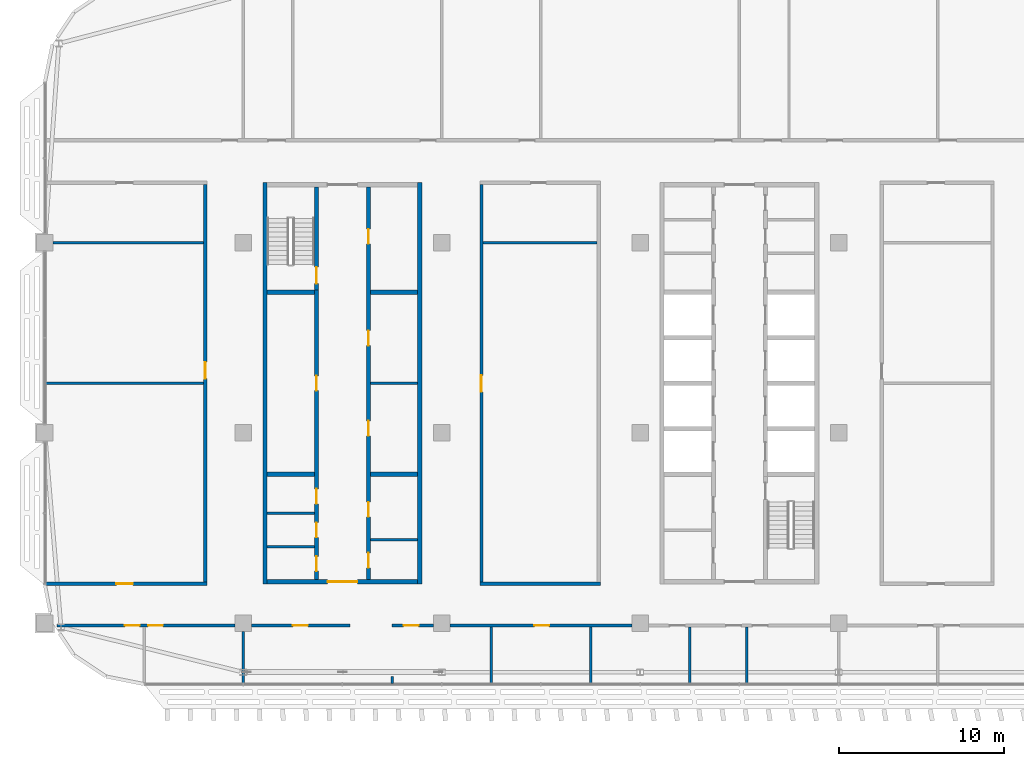
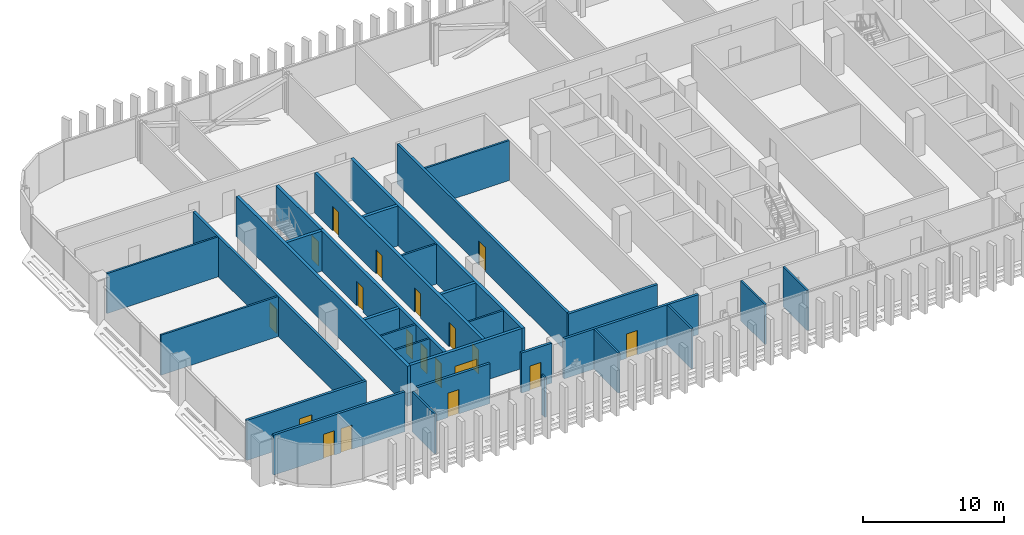
# One storey, part 17 of 34: 31 walls, 19 doors, 19 openings.
"""IFC4 building model written with IfcOpenShell, lengths in metres."""

from ifc_helpers import new_model, si_unit, direction, frame, frame_2d, origin, place, context, subcontext, project, spatial, rectangle, extrude, material, layer, layer_set, type_object, element, fill, save


model = new_model("IFC4")

# Units and contexts
model_context = context("Model", 3, precision=1e-05, world=origin(), true_north=direction((0.0, 1.0)))
body_context = subcontext(model_context, "Body", "Model", "MODEL_VIEW")
ifc_project = project(units=[si_unit("LENGTHUNIT", "METRE"), si_unit("AREAUNIT", "SQUARE_METRE"), si_unit("VOLUMEUNIT", "CUBIC_METRE"), si_unit("PLANEANGLEUNIT", "RADIAN"), si_unit("MASSUNIT", "GRAM", prefix="KILO")], contexts=[model_context])

# Site, building, storey
site_placement = place(None, origin())
site = spatial("IfcSite", under=ifc_project, at=site_placement, CompositionType="ELEMENT")
building_placement = place(site_placement, origin())
building = spatial("IfcBuilding", under=site, at=building_placement, Name="Mahtab Terrace Research Tower", CompositionType="ELEMENT")
storey_placement = place(building_placement, frame((0.0, 0.0, 247.60009765625)))
storey = spatial("IfcBuildingStorey", under=building, at=storey_placement, Name="L60", CompositionType="ELEMENT", Elevation=247.60009765625)

# Walls
ifc_material_1 = material(Name="Gypsum board partition")
ifc_layer_1 = layer(ifc_material_1, 0.14990234375)
ifc_layer_set_1 = layer_set([ifc_layer_1], Name="Core partition 150")
wall_type_1 = type_object("IfcWallType", Name="Core partition 150", PredefinedType="PARTITIONING", material=ifc_layer_set_1)
for number, where, z_axis, x_axis, name in (
    (1, (-22.300048828125, 3.0, 0.0), (0.0, 0.0, 1.0), (1.0, 0.0, 0.0), "Core wall A pEL0"),
    (2, (-28.550048828125, -6.875, 0.0), (0.0, 0.0, 1.0), (1.0, 0.0, 0.0), "Core wall A pWS-988"),
    (3, (-28.550048828125, -4.875, 0.0), (0.0, 0.0, 1.0), (1.0, 0.0, 0.0), "Core wall A pWS-788"),
    (4, (-22.300048828125, -6.47509765625, 0.0), (0.0, 0.0, 1.0), (1.0, 0.0, 0.0), "Core wall A pES-948"),
):
    element("IfcWall", number, at=place(storey_placement, frame(where, z_axis=z_axis, x_axis=x_axis)), inside=storey, type_object=wall_type_1, Name=name, PredefinedType="PARTITIONING", context=body_context, shape_type="SweptSolid", body=[
        extrude(rectangle(XDim=2.85009765625, YDim=0.14990234375, at=frame_2d((1.425048828125, 0.0))), origin(), (0.0, 0.0, 1.0), 3.4599609375),
    ])
ifc_material_2 = material(Name="Concrete C70/85", Category="concrete")
ifc_layer_2 = layer(ifc_material_2, 0.25)
ifc_layer_set_2 = layer_set([ifc_layer_2], Name="Core wall 250")
wall_type_2 = type_object("IfcWallType", Name="Core wall 250", PredefinedType="SOLIDWALL", material=ifc_layer_set_2)
for number, where, z_axis, x_axis, name in (
    (5, (-28.675048828125, 15.125, 0.0), (0.0, 0.0, 1.0), (0.0, -1.0, 0.0), "Core wall A outerW"),
    (6, (-19.324951171875, -9.125, 0.0), (0.0, 0.0, 1.0), (0.0, 1.0, 0.0), "Core wall A outerE"),
):
    element("IfcWall", number, at=place(storey_placement, frame(where, z_axis=z_axis, x_axis=x_axis)), inside=storey, type_object=wall_type_2, Name=name, PredefinedType="SOLIDWALL", context=body_context, shape_type="SweptSolid", body=[
        extrude(rectangle(XDim=24.25, YDim=0.25, at=frame_2d((12.125, 0.0))), origin(), (0.0, 0.0, 1.0), 3.4599609375),
    ])

# Wall, opening, door
wall_1_placement = place(storey_placement, frame((-19.449951171875, -9.0, 0.0), z_axis=(0.0, 0.0, 1.0), x_axis=(-1.0, 0.0, 0.0)))
wall_1 = element("IfcWall", 7, at=wall_1_placement, inside=storey, type_object=wall_type_2, Name="Core wall A endS", PredefinedType="SOLIDWALL", context=body_context, shape_type="SweptSolid", body=[
    extrude(rectangle(XDim=9.10009765625, YDim=0.25, at=frame_2d((4.550048828125, 0.0))), origin(), (0.0, 0.0, 1.0), 3.4599609375),
])
opening_1_placement = place(wall_1_placement, frame((3.64990234375, 0.0, 0.0)))
opening_1 = element("IfcOpeningElement", 8, at=opening_1_placement, cuts=wall_1, Name="Opening A-S1", PredefinedType="OPENING", context=body_context, shape_type="SweptSolid", body=[
    extrude(rectangle(XDim=1.800048828125, YDim=2.10009765625, at=frame_2d((0.89990234375, 1.050048828125))), frame((0.0, 0.135009765625, 0.0), z_axis=(0.0, -1.0, 0.0), x_axis=(1.0, 0.0, 0.0)), (0.0, 0.0, 1.0), 0.27001953125),
])
ifc_material_3 = material(Name="Steel fire door", Category="steel")
door_type_1 = type_object("IfcDoorType", Name="Lobby double door 1800x2100 1 HR", OperationType="DOUBLE_DOOR_SINGLE_SWING", PredefinedType="DOOR", material=ifc_material_3)
door_1_placement = place(opening_1_placement, origin())
door_1 = element("IfcDoor", 9, at=door_1_placement, inside=storey, type_object=door_type_1, Name="Core entrance door A S", OperationType="DOUBLE_DOOR_SINGLE_SWING", OverallHeight=2.10009765625, OverallWidth=1.800048828125, PredefinedType="DOOR", context=body_context, shape_type="SweptSolid", body=[
    extrude(rectangle(XDim=1.800048828125, YDim=2.10009765625, at=frame_2d((0.89990234375, 1.050048828125))), frame((0.0, 0.02490234375, 0.0), z_axis=(0.0, -1.0, 0.0), x_axis=(1.0, 0.0, 0.0)), (0.0, 0.0, 1.0), 0.050048828125),
])
fill(opening_1, door_1)

# Wall, openings, doors
wall_2_placement = place(storey_placement, frame((-25.574951171875, -8.875, 0.0), z_axis=(0.0, 0.0, 1.0), x_axis=(0.0, 1.0, 0.0)))
wall_2 = element("IfcWall", 10, at=wall_2_placement, inside=storey, type_object=wall_type_2, Name="Core wall A innerWSL", PredefinedType="SOLIDWALL", context=body_context, shape_type="SweptSolid", body=[
    extrude(rectangle(XDim=17.5, YDim=0.25, at=frame_2d((8.75, 0.0))), origin(), (0.0, 0.0, 1.0), 3.4599609375),
])
opening_2_placement = place(wall_2_placement, frame((11.425048828125, 0.0, 0.0)))
opening_2 = element("IfcOpeningElement", 11, at=opening_2_placement, cuts=wall_2, Name="Opening A-R1", PredefinedType="OPENING", context=body_context, shape_type="SweptSolid", body=[
    extrude(rectangle(XDim=0.89990234375, YDim=2.10009765625, at=frame_2d((0.449951171875, 1.050048828125))), frame((0.0, 0.135009765625, 0.0), z_axis=(0.0, -1.0, 0.0), x_axis=(1.0, 0.0, 0.0)), (0.0, 0.0, 1.0), 0.27001953125),
])
opening_3_placement = place(wall_2_placement, frame((0.512451171875, 0.0, 0.0)))
opening_3 = element("IfcOpeningElement", 12, at=opening_3_placement, cuts=wall_2, Name="Opening A-R4", PredefinedType="OPENING", context=body_context, shape_type="SweptSolid", body=[
    extrude(rectangle(XDim=0.89990234375, YDim=2.10009765625, at=frame_2d((0.449951171875, 1.050048828125))), frame((0.0, 0.135009765625, 0.0), z_axis=(0.0, -1.0, 0.0), x_axis=(1.0, 0.0, 0.0)), (0.0, 0.0, 1.0), 0.27001953125),
])
opening_4_placement = place(wall_2_placement, frame((2.550048828125, 0.0, 0.0)))
opening_4 = element("IfcOpeningElement", 13, at=opening_4_placement, cuts=wall_2, Name="Opening A-R5", PredefinedType="OPENING", context=body_context, shape_type="SweptSolid", body=[
    extrude(rectangle(XDim=0.89990234375, YDim=2.10009765625, at=frame_2d((0.449951171875, 1.050048828125))), frame((0.0, 0.135009765625, 0.0), z_axis=(0.0, -1.0, 0.0), x_axis=(1.0, 0.0, 0.0)), (0.0, 0.0, 1.0), 0.27001953125),
])
opening_5_placement = place(wall_2_placement, frame((4.58740234375, 0.0, 0.0)))
opening_5 = element("IfcOpeningElement", 14, at=opening_5_placement, cuts=wall_2, Name="Opening A-R6", PredefinedType="OPENING", context=body_context, shape_type="SweptSolid", body=[
    extrude(rectangle(XDim=0.89990234375, YDim=2.10009765625, at=frame_2d((0.449951171875, 1.050048828125))), frame((0.0, 0.135009765625, 0.0), z_axis=(0.0, -1.0, 0.0), x_axis=(1.0, 0.0, 0.0)), (0.0, 0.0, 1.0), 0.27001953125),
])
door_type_2 = type_object("IfcDoorType", Name="Room door 900x2100 1 HR", OperationType="NOTDEFINED", PredefinedType="DOOR", material=ifc_material_3)
door_2_placement = place(opening_2_placement, origin())
door_2 = element("IfcDoor", 15, at=door_2_placement, inside=storey, type_object=door_type_2, Name="Plant room door", OperationType="SINGLE_SWING_LEFT", OverallHeight=2.10009765625, OverallWidth=0.89990234375, PredefinedType="DOOR", context=body_context, shape_type="SweptSolid", body=[
    extrude(rectangle(XDim=0.89990234375, YDim=2.10009765625, at=frame_2d((0.449951171875, 1.050048828125))), frame((0.0, 0.02490234375, 0.0), z_axis=(0.0, -1.0, 0.0), x_axis=(1.0, 0.0, 0.0)), (0.0, 0.0, 1.0), 0.050048828125),
])
fill(opening_2, door_2)
door_3_placement = place(opening_3_placement, origin())
door_3 = element("IfcDoor", 16, at=door_3_placement, inside=storey, type_object=door_type_2, Name="Male WC door", OperationType="SINGLE_SWING_RIGHT", OverallHeight=2.10009765625, OverallWidth=0.89990234375, PredefinedType="DOOR", context=body_context, shape_type="SweptSolid", body=[
    extrude(rectangle(XDim=0.89990234375, YDim=2.10009765625, at=frame_2d((0.449951171875, 1.050048828125))), frame((0.0, 0.02490234375, 0.0), z_axis=(0.0, -1.0, 0.0), x_axis=(1.0, 0.0, 0.0)), (0.0, 0.0, 1.0), 0.050048828125),
])
fill(opening_3, door_3)
door_4_placement = place(opening_4_placement, origin())
door_4 = element("IfcDoor", 17, at=door_4_placement, inside=storey, type_object=door_type_2, Name="Female WC door", OperationType="SINGLE_SWING_LEFT", OverallHeight=2.10009765625, OverallWidth=0.89990234375, PredefinedType="DOOR", context=body_context, shape_type="SweptSolid", body=[
    extrude(rectangle(XDim=0.89990234375, YDim=2.10009765625, at=frame_2d((0.449951171875, 1.050048828125))), frame((0.0, 0.02490234375, 0.0), z_axis=(0.0, -1.0, 0.0), x_axis=(1.0, 0.0, 0.0)), (0.0, 0.0, 1.0), 0.050048828125),
])
fill(opening_4, door_4)
door_5_placement = place(opening_5_placement, origin())
door_5 = element("IfcDoor", 18, at=door_5_placement, inside=storey, type_object=door_type_2, Name="Accessible WC door", OperationType="SINGLE_SWING_RIGHT", OverallHeight=2.10009765625, OverallWidth=0.89990234375, PredefinedType="DOOR", context=body_context, shape_type="SweptSolid", body=[
    extrude(rectangle(XDim=0.89990234375, YDim=2.10009765625, at=frame_2d((0.449951171875, 1.050048828125))), frame((0.0, 0.02490234375, 0.0), z_axis=(0.0, -1.0, 0.0), x_axis=(1.0, 0.0, 0.0)), (0.0, 0.0, 1.0), 0.050048828125),
])
fill(opening_5, door_5)

# Wall, opening, door
wall_3_placement = place(storey_placement, frame((-25.574951171875, 14.875, 0.0), z_axis=(0.0, 0.0, 1.0), x_axis=(0.0, -1.0, 0.0)))
wall_3 = element("IfcWall", 19, at=wall_3_placement, inside=storey, type_object=wall_type_2, Name="Core wall A innerWN", PredefinedType="SOLIDWALL", context=body_context, shape_type="SweptSolid", body=[
    extrude(rectangle(XDim=6.25, YDim=0.25, at=frame_2d((3.125, 0.0))), origin(), (0.0, 0.0, 1.0), 3.4599609375),
])
opening_6_placement = place(wall_3_placement, frame((4.85009765625, 0.0, 0.0)))
opening_6 = element("IfcOpeningElement", 20, at=opening_6_placement, cuts=wall_3, Name="Opening A-ST1", PredefinedType="OPENING", context=body_context, shape_type="SweptSolid", body=[
    extrude(rectangle(XDim=1.0, YDim=2.10009765625, at=frame_2d((0.5, 1.050048828125))), frame((0.0, 0.135009765625, 0.0), z_axis=(0.0, -1.0, 0.0), x_axis=(1.0, 0.0, 0.0)), (0.0, 0.0, 1.0), 0.27001953125),
])
door_type_3 = type_object("IfcDoorType", Name="Stair door 1000x2100 1.5 HR", OperationType="NOTDEFINED", PredefinedType="DOOR", material=ifc_material_3)
door_6_placement = place(opening_6_placement, origin())
door_6 = element("IfcDoor", 21, at=door_6_placement, inside=storey, type_object=door_type_3, Name="Stair door ST1 L60", OperationType="SINGLE_SWING_RIGHT", OverallHeight=2.10009765625, OverallWidth=1.0, PredefinedType="DOOR", context=body_context, shape_type="SweptSolid", body=[
    extrude(rectangle(XDim=1.0, YDim=2.10009765625, at=frame_2d((0.5, 1.050048828125))), frame((0.0, 0.02490234375, 0.0), z_axis=(0.0, -1.0, 0.0), x_axis=(1.0, 0.0, 0.0)), (0.0, 0.0, 1.0), 0.050048828125),
])
fill(opening_6, door_6)

# Wall, openings, doors
wall_4_placement = place(storey_placement, frame((-22.425048828125, 14.875, 0.0), z_axis=(0.0, 0.0, 1.0), x_axis=(0.0, -1.0, 0.0)))
wall_4 = element("IfcWall", 22, at=wall_4_placement, inside=storey, type_object=wall_type_2, Name="Core wall A innerESLN", PredefinedType="SOLIDWALL", context=body_context, shape_type="SweptSolid", body=[
    extrude(rectangle(XDim=23.75, YDim=0.25, at=frame_2d((11.875, 0.0))), origin(), (0.0, 0.0, 1.0), 3.4599609375),
])
opening_7_placement = place(wall_4_placement, frame((14.14990234375, 0.0, 0.0)))
opening_7 = element("IfcOpeningElement", 23, at=opening_7_placement, cuts=wall_4, Name="Opening A-R2", PredefinedType="OPENING", context=body_context, shape_type="SweptSolid", body=[
    extrude(rectangle(XDim=0.89990234375, YDim=2.10009765625, at=frame_2d((0.449951171875, 1.050048828125))), frame((0.0, 0.135009765625, 0.0), z_axis=(0.0, -1.0, 0.0), x_axis=(1.0, 0.0, 0.0)), (0.0, 0.0, 1.0), 0.27001953125),
])
opening_8_placement = place(wall_4_placement, frame((8.699951171875, 0.0, 0.0)))
opening_8 = element("IfcOpeningElement", 24, at=opening_8_placement, cuts=wall_4, Name="Opening A-R3", PredefinedType="OPENING", context=body_context, shape_type="SweptSolid", body=[
    extrude(rectangle(XDim=0.89990234375, YDim=2.10009765625, at=frame_2d((0.449951171875, 1.050048828125))), frame((0.0, 0.135009765625, 0.0), z_axis=(0.0, -1.0, 0.0), x_axis=(1.0, 0.0, 0.0)), (0.0, 0.0, 1.0), 0.27001953125),
])
opening_9_placement = place(wall_4_placement, frame((22.137451171875, 0.0, 0.0)))
opening_9 = element("IfcOpeningElement", 25, at=opening_9_placement, cuts=wall_4, Name="Opening A-R7", PredefinedType="OPENING", context=body_context, shape_type="SweptSolid", body=[
    extrude(rectangle(XDim=0.89990234375, YDim=2.10009765625, at=frame_2d((0.449951171875, 1.050048828125))), frame((0.0, 0.135009765625, 0.0), z_axis=(0.0, -1.0, 0.0), x_axis=(1.0, 0.0, 0.0)), (0.0, 0.0, 1.0), 0.27001953125),
])
opening_10_placement = place(wall_4_placement, frame((19.0625, 0.0, 0.0)))
opening_10 = element("IfcOpeningElement", 26, at=opening_10_placement, cuts=wall_4, Name="Opening A-R8", PredefinedType="OPENING", context=body_context, shape_type="SweptSolid", body=[
    extrude(rectangle(XDim=0.89990234375, YDim=2.10009765625, at=frame_2d((0.449951171875, 1.050048828125))), frame((0.0, 0.135009765625, 0.0), z_axis=(0.0, -1.0, 0.0), x_axis=(1.0, 0.0, 0.0)), (0.0, 0.0, 1.0), 0.27001953125),
])
opening_11_placement = place(wall_4_placement, frame((2.550048828125, 0.0, 0.0)))
opening_11 = element("IfcOpeningElement", 27, at=opening_11_placement, cuts=wall_4, Name="Opening A-R9", PredefinedType="OPENING", context=body_context, shape_type="SweptSolid", body=[
    extrude(rectangle(XDim=0.89990234375, YDim=2.10009765625, at=frame_2d((0.449951171875, 1.050048828125))), frame((0.0, 0.135009765625, 0.0), z_axis=(0.0, -1.0, 0.0), x_axis=(1.0, 0.0, 0.0)), (0.0, 0.0, 1.0), 0.27001953125),
])
door_7_placement = place(opening_7_placement, origin())
door_7 = element("IfcDoor", 28, at=door_7_placement, inside=storey, type_object=door_type_2, Name="Document store door", OperationType="SINGLE_SWING_RIGHT", OverallHeight=2.10009765625, OverallWidth=0.89990234375, PredefinedType="DOOR", context=body_context, shape_type="SweptSolid", body=[
    extrude(rectangle(XDim=0.89990234375, YDim=2.10009765625, at=frame_2d((0.449951171875, 1.050048828125))), frame((0.0, 0.02490234375, 0.0), z_axis=(0.0, -1.0, 0.0), x_axis=(1.0, 0.0, 0.0)), (0.0, 0.0, 1.0), 0.050048828125),
])
fill(opening_7, door_7)
door_8_placement = place(opening_8_placement, origin())
door_8 = element("IfcDoor", 29, at=door_8_placement, inside=storey, type_object=door_type_2, Name="IT equipment room door", OperationType="SINGLE_SWING_LEFT", OverallHeight=2.10009765625, OverallWidth=0.89990234375, PredefinedType="DOOR", context=body_context, shape_type="SweptSolid", body=[
    extrude(rectangle(XDim=0.89990234375, YDim=2.10009765625, at=frame_2d((0.449951171875, 1.050048828125))), frame((0.0, 0.02490234375, 0.0), z_axis=(0.0, -1.0, 0.0), x_axis=(1.0, 0.0, 0.0)), (0.0, 0.0, 1.0), 0.050048828125),
])
fill(opening_8, door_8)
door_9_placement = place(opening_9_placement, origin())
door_9 = element("IfcDoor", 30, at=door_9_placement, inside=storey, type_object=door_type_2, Name="Mechanical riser room door", OperationType="SINGLE_SWING_LEFT", OverallHeight=2.10009765625, OverallWidth=0.89990234375, PredefinedType="DOOR", context=body_context, shape_type="SweptSolid", body=[
    extrude(rectangle(XDim=0.89990234375, YDim=2.10009765625, at=frame_2d((0.449951171875, 1.050048828125))), frame((0.0, 0.02490234375, 0.0), z_axis=(0.0, -1.0, 0.0), x_axis=(1.0, 0.0, 0.0)), (0.0, 0.0, 1.0), 0.050048828125),
])
fill(opening_9, door_9)
door_10_placement = place(opening_10_placement, origin())
door_10 = element("IfcDoor", 31, at=door_10_placement, inside=storey, type_object=door_type_2, Name="Chemical store door", OperationType="SINGLE_SWING_RIGHT", OverallHeight=2.10009765625, OverallWidth=0.89990234375, PredefinedType="DOOR", context=body_context, shape_type="SweptSolid", body=[
    extrude(rectangle(XDim=0.89990234375, YDim=2.10009765625, at=frame_2d((0.449951171875, 1.050048828125))), frame((0.0, 0.02490234375, 0.0), z_axis=(0.0, -1.0, 0.0), x_axis=(1.0, 0.0, 0.0)), (0.0, 0.0, 1.0), 0.050048828125),
])
fill(opening_10, door_10)
door_11_placement = place(opening_11_placement, origin())
door_11 = element("IfcDoor", 32, at=door_11_placement, inside=storey, type_object=door_type_2, Name="Gas cylinder store door", OperationType="SINGLE_SWING_LEFT", OverallHeight=2.10009765625, OverallWidth=0.89990234375, PredefinedType="DOOR", context=body_context, shape_type="SweptSolid", body=[
    extrude(rectangle(XDim=0.89990234375, YDim=2.10009765625, at=frame_2d((0.449951171875, 1.050048828125))), frame((0.0, 0.02490234375, 0.0), z_axis=(0.0, -1.0, 0.0), x_axis=(1.0, 0.0, 0.0)), (0.0, 0.0, 1.0), 0.050048828125),
])
fill(opening_11, door_11)

# Walls
for number, where, z_axis, x_axis, name in (
    (33, (-28.550048828125, -2.5, 0.0), (0.0, 0.0, 1.0), (1.0, 0.0, 0.0), "Core wall A divW0"),
    (34, (-28.550048828125, 8.5, 0.0), (0.0, 0.0, 1.0), (1.0, 0.0, 0.0), "Core wall A divW4"),
    (35, (-22.300048828125, -2.5, 0.0), (0.0, 0.0, 1.0), (1.0, 0.0, 0.0), "Core wall A divE0"),
    (36, (-22.300048828125, 8.5, 0.0), (0.0, 0.0, 1.0), (1.0, 0.0, 0.0), "Core wall A divE4"),
):
    element("IfcWall", number, at=place(storey_placement, frame(where, z_axis=z_axis, x_axis=x_axis)), inside=storey, type_object=wall_type_2, Name=name, PredefinedType="SOLIDWALL", context=body_context, shape_type="SweptSolid", body=[
        extrude(rectangle(XDim=2.85009765625, YDim=0.25, at=frame_2d((1.425048828125, 0.0))), origin(), (0.0, 0.0, 1.0), 3.4599609375),
    ])

# Wall, openings, doors
ifc_material_4 = material(Name="Gypsum board corridor wall on steel studs", Category="steel")
ifc_layer_3 = layer(ifc_material_4, 0.199951171875)
ifc_layer_set_3 = layer_set([ifc_layer_3], Name="WALL CORRIDOR 200")
wall_type_3 = type_object("IfcWallType", Name="WALL CORRIDOR 200", PredefinedType="PARTITIONING", material=ifc_layer_set_3)
wall_5_placement = place(storey_placement, frame((-41.260009765625, -11.64501953125, 0.0), z_axis=(0.0, 0.0, 1.0), x_axis=(1.0, 0.0, 0.0)))
wall_5 = element("IfcWall", 37, at=wall_5_placement, inside=storey, type_object=wall_type_3, Name="L60-W001", PredefinedType="PARTITIONING", context=body_context, shape_type="SweptSolid", body=[
    extrude(rectangle(XDim=10.760009765625, YDim=0.199951171875, at=frame_2d((5.3798828125, 0.0))), origin(), (0.0, 0.0, 1.0), 3.4599609375),
])
opening_12_placement = place(wall_5_placement, frame((4.10009765625, 0.0, 0.0)))
opening_12 = element("IfcOpeningElement", 38, at=opening_12_placement, cuts=wall_5, Name="Opening L60-101", PredefinedType="OPENING", context=body_context, shape_type="SweptSolid", body=[
    extrude(rectangle(XDim=0.89990234375, YDim=2.10009765625, at=frame_2d((0.449951171875, 1.050048828125))), frame((0.0, 0.10986328125, 0.0), z_axis=(0.0, -1.0, 0.0), x_axis=(1.0, 0.0, 0.0)), (0.0, 0.0, 1.0), 0.219970703125),
])
opening_13_placement = place(wall_5_placement, frame((5.5, 0.0, 0.0)))
opening_13 = element("IfcOpeningElement", 39, at=opening_13_placement, cuts=wall_5, Name="Opening L60-102", PredefinedType="OPENING", context=body_context, shape_type="SweptSolid", body=[
    extrude(rectangle(XDim=0.89990234375, YDim=2.10009765625, at=frame_2d((0.449951171875, 1.050048828125))), frame((0.0, 0.10986328125, 0.0), z_axis=(0.0, -1.0, 0.0), x_axis=(1.0, 0.0, 0.0)), (0.0, 0.0, 1.0), 0.219970703125),
])
ifc_material_5 = material(Name="Timber door leaf in steel frame", Category="steel")
door_type_4 = type_object("IfcDoorType", Name="DOOR 0900X2100 FD30S", OperationType="SINGLE_SWING_LEFT", PredefinedType="DOOR", material=ifc_material_5)
door_12_placement = place(opening_12_placement, origin())
door_12 = element("IfcDoor", 40, at=door_12_placement, inside=storey, type_object=door_type_4, Name="Door L60-101", OperationType="SINGLE_SWING_RIGHT", OverallHeight=2.10009765625, OverallWidth=0.89990234375, PredefinedType="DOOR", context=body_context, shape_type="SweptSolid", body=[
    extrude(rectangle(XDim=0.89990234375, YDim=2.10009765625, at=frame_2d((0.449951171875, 1.050048828125))), frame((0.0, 0.02490234375, 0.0), z_axis=(0.0, -1.0, 0.0), x_axis=(1.0, 0.0, 0.0)), (0.0, 0.0, 1.0), 0.050048828125),
])
fill(opening_12, door_12)
door_13_placement = place(opening_13_placement, origin())
door_13 = element("IfcDoor", 41, at=door_13_placement, inside=storey, type_object=door_type_4, Name="Door L60-102", OperationType="SINGLE_SWING_LEFT", OverallHeight=2.10009765625, OverallWidth=0.89990234375, PredefinedType="DOOR", context=body_context, shape_type="SweptSolid", body=[
    extrude(rectangle(XDim=0.89990234375, YDim=2.10009765625, at=frame_2d((0.449951171875, 1.050048828125))), frame((0.0, 0.02490234375, 0.0), z_axis=(0.0, -1.0, 0.0), x_axis=(1.0, 0.0, 0.0)), (0.0, 0.0, 1.0), 0.050048828125),
])
fill(opening_13, door_13)

# Wall, opening, door
wall_6_placement = place(storey_placement, frame((-29.5, -11.64501953125, 0.0), z_axis=(0.0, 0.0, 1.0), x_axis=(1.0, 0.0, 0.0)))
wall_6 = element("IfcWall", 42, at=wall_6_placement, inside=storey, type_object=wall_type_3, Name="L60-W002", PredefinedType="PARTITIONING", context=body_context, shape_type="SweptSolid", body=[
    extrude(rectangle(XDim=5.949951171875, YDim=0.199951171875, at=frame_2d((2.97509765625, 0.0))), origin(), (0.0, 0.0, 1.0), 3.4599609375),
])
opening_14_placement = place(wall_6_placement, frame((2.5, 0.0, 0.0)))
opening_14 = element("IfcOpeningElement", 43, at=opening_14_placement, cuts=wall_6, Name="Opening L60-103", PredefinedType="OPENING", context=body_context, shape_type="SweptSolid", body=[
    extrude(rectangle(XDim=0.89990234375, YDim=2.10009765625, at=frame_2d((0.449951171875, 1.050048828125))), frame((0.0, 0.10986328125, 0.0), z_axis=(0.0, -1.0, 0.0), x_axis=(1.0, 0.0, 0.0)), (0.0, 0.0, 1.0), 0.219970703125),
])
door_14_placement = place(opening_14_placement, origin())
door_14 = element("IfcDoor", 44, at=door_14_placement, inside=storey, type_object=door_type_4, Name="Door L60-103", OperationType="SINGLE_SWING_RIGHT", OverallHeight=2.10009765625, OverallWidth=0.89990234375, PredefinedType="DOOR", context=body_context, shape_type="SweptSolid", body=[
    extrude(rectangle(XDim=0.89990234375, YDim=2.10009765625, at=frame_2d((0.449951171875, 1.050048828125))), frame((0.0, 0.02490234375, 0.0), z_axis=(0.0, -1.0, 0.0), x_axis=(1.0, 0.0, 0.0)), (0.0, 0.0, 1.0), 0.050048828125),
])
fill(opening_14, door_14)

wall_7_placement = place(storey_placement, frame((-21.0, -11.64501953125, 0.0), z_axis=(0.0, 0.0, 1.0), x_axis=(1.0, 0.0, 0.0)))
wall_7 = element("IfcWall", 45, at=wall_7_placement, inside=storey, type_object=wall_type_3, Name="L60-W003", PredefinedType="PARTITIONING", context=body_context, shape_type="SweptSolid", body=[
    extrude(rectangle(XDim=2.5, YDim=0.199951171875, at=frame_2d((1.25, 0.0))), origin(), (0.0, 0.0, 1.0), 3.4599609375),
])
opening_15_placement = place(wall_7_placement, frame((0.699951171875, 0.0, 0.0)))
opening_15 = element("IfcOpeningElement", 46, at=opening_15_placement, cuts=wall_7, Name="Opening L60-104", PredefinedType="OPENING", context=body_context, shape_type="SweptSolid", body=[
    extrude(rectangle(XDim=0.89990234375, YDim=2.10009765625, at=frame_2d((0.449951171875, 1.050048828125))), frame((0.0, 0.10986328125, 0.0), z_axis=(0.0, -1.0, 0.0), x_axis=(1.0, 0.0, 0.0)), (0.0, 0.0, 1.0), 0.219970703125),
])
door_15_placement = place(opening_15_placement, origin())
door_15 = element("IfcDoor", 47, at=door_15_placement, inside=storey, type_object=door_type_4, Name="Door L60-104", OperationType="SINGLE_SWING_RIGHT", OverallHeight=2.10009765625, OverallWidth=0.89990234375, PredefinedType="DOOR", context=body_context, shape_type="SweptSolid", body=[
    extrude(rectangle(XDim=0.89990234375, YDim=2.10009765625, at=frame_2d((0.449951171875, 1.050048828125))), frame((0.0, 0.02490234375, 0.0), z_axis=(0.0, -1.0, 0.0), x_axis=(1.0, 0.0, 0.0)), (0.0, 0.0, 1.0), 0.050048828125),
])
fill(opening_15, door_15)

wall_8_placement = place(storey_placement, frame((-17.5, -11.64501953125, 0.0), z_axis=(0.0, 0.0, 1.0), x_axis=(1.0, 0.0, 0.0)))
wall_8 = element("IfcWall", 48, at=wall_8_placement, inside=storey, type_object=wall_type_3, Name="L60-W004", PredefinedType="PARTITIONING", context=body_context, shape_type="SweptSolid", body=[
    extrude(rectangle(XDim=11.0, YDim=0.199951171875, at=frame_2d((5.5, 0.0))), origin(), (0.0, 0.0, 1.0), 3.4599609375),
])
opening_16_placement = place(wall_8_placement, frame((5.10009765625, 0.0, 0.0)))
opening_16 = element("IfcOpeningElement", 49, at=opening_16_placement, cuts=wall_8, Name="Opening L60-105", PredefinedType="OPENING", context=body_context, shape_type="SweptSolid", body=[
    extrude(rectangle(XDim=0.89990234375, YDim=2.10009765625, at=frame_2d((0.449951171875, 1.050048828125))), frame((0.0, 0.10986328125, 0.0), z_axis=(0.0, -1.0, 0.0), x_axis=(1.0, 0.0, 0.0)), (0.0, 0.0, 1.0), 0.219970703125),
])
door_16_placement = place(opening_16_placement, origin())
door_16 = element("IfcDoor", 50, at=door_16_placement, inside=storey, type_object=door_type_4, Name="Door L60-105", OperationType="SINGLE_SWING_LEFT", OverallHeight=2.10009765625, OverallWidth=0.89990234375, PredefinedType="DOOR", context=body_context, shape_type="SweptSolid", body=[
    extrude(rectangle(XDim=0.89990234375, YDim=2.10009765625, at=frame_2d((0.449951171875, 1.050048828125))), frame((0.0, 0.02490234375, 0.0), z_axis=(0.0, -1.0, 0.0), x_axis=(1.0, 0.0, 0.0)), (0.0, 0.0, 1.0), 0.050048828125),
])
fill(opening_16, door_16)

wall_9_placement = place(storey_placement, frame((-41.97509765625, -9.125, 0.0), z_axis=(0.0, 0.0, 1.0), x_axis=(1.0, 0.0, 0.0)))
wall_9 = element("IfcWall", 51, at=wall_9_placement, inside=storey, type_object=wall_type_3, Name="L60-W010", PredefinedType="PARTITIONING", context=body_context, shape_type="SweptSolid", body=[
    extrude(rectangle(XDim=9.775146484375, YDim=0.199951171875, at=frame_2d((4.8876953125, 0.0))), origin(), (0.0, 0.0, 1.0), 3.4599609375),
])
opening_17_placement = place(wall_9_placement, frame((4.300048828125, 0.0, 0.0)))
opening_17 = element("IfcOpeningElement", 52, at=opening_17_placement, cuts=wall_9, Name="Opening L60-117", PredefinedType="OPENING", context=body_context, shape_type="SweptSolid", body=[
    extrude(rectangle(XDim=1.0, YDim=2.10009765625, at=frame_2d((0.5, 1.050048828125))), frame((0.0, 0.10986328125, 0.0), z_axis=(0.0, -1.0, 0.0), x_axis=(1.0, 0.0, 0.0)), (0.0, 0.0, 1.0), 0.219970703125),
])
door_type_5 = type_object("IfcDoorType", Name="DOOR 1000X2100 FD30S", OperationType="SINGLE_SWING_LEFT", PredefinedType="DOOR", material=ifc_material_5)
door_17_placement = place(opening_17_placement, origin())
door_17 = element("IfcDoor", 53, at=door_17_placement, inside=storey, type_object=door_type_5, Name="Door L60-117", OperationType="SINGLE_SWING_LEFT", OverallHeight=2.10009765625, OverallWidth=1.0, PredefinedType="DOOR", context=body_context, shape_type="SweptSolid", body=[
    extrude(rectangle(XDim=1.0, YDim=2.10009765625, at=frame_2d((0.5, 1.050048828125))), frame((0.0, 0.02490234375, 0.0), z_axis=(0.0, -1.0, 0.0), x_axis=(1.0, 0.0, 0.0)), (0.0, 0.0, 1.0), 0.050048828125),
])
fill(opening_17, door_17)

# Wall
wall_10_placement = place(storey_placement, frame((-15.699951171875, -9.125, 0.0), z_axis=(0.0, 0.0, 1.0), x_axis=(1.0, 0.0, 0.0)))
element("IfcWall", 54, at=wall_10_placement, inside=storey, type_object=wall_type_3, Name="L60-W011", PredefinedType="PARTITIONING", context=body_context, shape_type="SweptSolid", body=[
    extrude(rectangle(XDim=7.300048828125, YDim=0.199951171875, at=frame_2d((3.64990234375, 0.0))), origin(), (0.0, 0.0, 1.0), 3.4599609375),
])

# Wall, opening, door
wall_11_placement = place(storey_placement, frame((-32.300048828125, -9.02490234375, 0.0), z_axis=(0.0, 0.0, 1.0), x_axis=(0.0, 1.0, 0.0)))
wall_11 = element("IfcWall", 55, at=wall_11_placement, inside=storey, type_object=wall_type_3, Name="L60-W027", PredefinedType="PARTITIONING", context=body_context, shape_type="SweptSolid", body=[
    extrude(rectangle(XDim=24.0498046875, YDim=0.199951171875, at=frame_2d((12.02490234375, 0.0))), origin(), (0.0, 0.0, 1.0), 3.4599609375),
])
opening_18_placement = place(wall_11_placement, frame((12.300048828125, 0.0, 0.0)))
opening_18 = element("IfcOpeningElement", 56, at=opening_18_placement, cuts=wall_11, Name="Opening L60-121", PredefinedType="OPENING", context=body_context, shape_type="SweptSolid", body=[
    extrude(rectangle(XDim=1.0, YDim=2.10009765625, at=frame_2d((0.5, 1.050048828125))), frame((0.0, 0.10986328125, 0.0), z_axis=(0.0, -1.0, 0.0), x_axis=(1.0, 0.0, 0.0)), (0.0, 0.0, 1.0), 0.219970703125),
])
door_18_placement = place(opening_18_placement, origin())
door_18 = element("IfcDoor", 57, at=door_18_placement, inside=storey, type_object=door_type_5, Name="Door L60-121", OperationType="SINGLE_SWING_RIGHT", OverallHeight=2.10009765625, OverallWidth=1.0, PredefinedType="DOOR", context=body_context, shape_type="SweptSolid", body=[
    extrude(rectangle(XDim=1.0, YDim=2.10009765625, at=frame_2d((0.5, 1.050048828125))), frame((0.0, 0.02490234375, 0.0), z_axis=(0.0, -1.0, 0.0), x_axis=(1.0, 0.0, 0.0)), (0.0, 0.0, 1.0), 0.050048828125),
])
fill(opening_18, door_18)

wall_12_placement = place(storey_placement, frame((-15.60009765625, -9.02490234375, 0.0), z_axis=(0.0, 0.0, 1.0), x_axis=(0.0, 1.0, 0.0)))
wall_12 = element("IfcWall", 58, at=wall_12_placement, inside=storey, type_object=wall_type_3, Name="L60-W034", PredefinedType="PARTITIONING", context=body_context, shape_type="SweptSolid", body=[
    extrude(rectangle(XDim=24.0498046875, YDim=0.199951171875, at=frame_2d((12.02490234375, 0.0))), origin(), (0.0, 0.0, 1.0), 3.4599609375),
])
opening_19_placement = place(wall_12_placement, frame((11.5, 0.0, 0.0)))
opening_19 = element("IfcOpeningElement", 59, at=opening_19_placement, cuts=wall_12, Name="Opening L60-119", PredefinedType="OPENING", context=body_context, shape_type="SweptSolid", body=[
    extrude(rectangle(XDim=1.0, YDim=2.10009765625, at=frame_2d((0.5, 1.050048828125))), frame((0.0, 0.10986328125, 0.0), z_axis=(0.0, -1.0, 0.0), x_axis=(1.0, 0.0, 0.0)), (0.0, 0.0, 1.0), 0.219970703125),
])
door_19_placement = place(opening_19_placement, origin())
door_19 = element("IfcDoor", 60, at=door_19_placement, inside=storey, type_object=door_type_5, Name="Door L60-119", OperationType="SINGLE_SWING_RIGHT", OverallHeight=2.10009765625, OverallWidth=1.0, PredefinedType="DOOR", context=body_context, shape_type="SweptSolid", body=[
    extrude(rectangle(XDim=1.0, YDim=2.10009765625, at=frame_2d((0.5, 1.050048828125))), frame((0.0, 0.02490234375, 0.0), z_axis=(0.0, -1.0, 0.0), x_axis=(1.0, 0.0, 0.0)), (0.0, 0.0, 1.0), 0.050048828125),
])
fill(opening_19, door_19)

# Walls
ifc_material_6 = material(Name="Gypsum board partition on steel studs", Category="steel")
ifc_layer_4 = layer(ifc_material_6, 0.14990234375)
ifc_layer_set_4 = layer_set([ifc_layer_4], Name="WALL PARTITION 150")
wall_type_4 = type_object("IfcWallType", Name="WALL PARTITION 150", PredefinedType="PARTITIONING", material=ifc_layer_set_4)
wall_13_placement = place(storey_placement, frame((-41.97509765625, 3.0, 0.0), z_axis=(0.0, 0.0, 1.0), x_axis=(1.0, 0.0, 0.0)))
element("IfcWall", 61, at=wall_13_placement, inside=storey, type_object=wall_type_4, Name="L60-W014", PredefinedType="PARTITIONING", context=body_context, shape_type="SweptSolid", body=[
    extrude(rectangle(XDim=9.5751953125, YDim=0.14990234375, at=frame_2d((4.78759765625, 0.0))), origin(), (0.0, 0.0, 1.0), 3.4599609375),
])
wall_14_placement = place(storey_placement, frame((-41.5, 11.5, 0.0), z_axis=(0.0, 0.0, 1.0), x_axis=(1.0, 0.0, 0.0)))
element("IfcWall", 62, at=wall_14_placement, inside=storey, type_object=wall_type_4, Name="L60-W016", PredefinedType="PARTITIONING", context=body_context, shape_type="SweptSolid", body=[
    extrude(rectangle(XDim=9.10009765625, YDim=0.14990234375, at=frame_2d((4.550048828125, 0.0))), origin(), (0.0, 0.0, 1.0), 3.4599609375),
])
wall_15_placement = place(storey_placement, frame((-15.5, 11.5, 0.0), z_axis=(0.0, 0.0, 1.0), x_axis=(1.0, 0.0, 0.0)))
element("IfcWall", 63, at=wall_15_placement, inside=storey, type_object=wall_type_4, Name="L60-W017", PredefinedType="PARTITIONING", context=body_context, shape_type="SweptSolid", body=[
    extrude(rectangle(XDim=6.89990234375, YDim=0.14990234375, at=frame_2d((3.449951171875, 0.0))), origin(), (0.0, 0.0, 1.0), 3.4599609375),
])
wall_16_placement = place(storey_placement, frame((-30.0, -15.169921875, 0.0), z_axis=(0.0, 0.0, 1.0), x_axis=(0.0, 1.0, 0.0)))
element("IfcWall", 64, at=wall_16_placement, inside=storey, type_object=wall_type_4, Name="L60-W028", PredefinedType="PARTITIONING", context=body_context, shape_type="SweptSolid", body=[
    extrude(rectangle(XDim=3.169921875, YDim=0.14990234375, at=frame_2d((1.5849609375, 0.0))), origin(), (0.0, 0.0, 1.0), 3.4599609375),
])
wall_17_placement = place(storey_placement, frame((-21.0, -15.169921875, 0.0), z_axis=(0.0, 0.0, 1.0), x_axis=(0.0, 1.0, 0.0)))
element("IfcWall", 65, at=wall_17_placement, inside=storey, type_object=wall_type_4, Name="L60-W032", PredefinedType="PARTITIONING", context=body_context, shape_type="SweptSolid", body=[
    extrude(rectangle(XDim=0.444580078125, YDim=0.14990234375, at=frame_2d((0.22216796875, 0.0))), origin(), (0.0, 0.0, 1.0), 3.4599609375),
])
for number, where, z_axis, x_axis, name in (
    (66, (-15.0, -15.169921875, 0.0), (0.0, 0.0, 1.0), (0.0, 1.0, 0.0), "L60-W035"),
    (67, (-9.0, -15.169921875, 0.0), (0.0, 0.0, 1.0), (0.0, 1.0, 0.0), "L60-W037"),
    (68, (-3.0, -15.169921875, 0.0), (0.0, 0.0, 1.0), (0.0, 1.0, 0.0), "L60-W039"),
    (69, (0.449951171875, -15.169921875, 0.0), (0.0, 0.0, 1.0), (0.0, 1.0, 0.0), "L60-W041"),
):
    element("IfcWall", number, at=place(storey_placement, frame(where, z_axis=z_axis, x_axis=x_axis)), inside=storey, type_object=wall_type_4, Name=name, PredefinedType="PARTITIONING", context=body_context, shape_type="SweptSolid", body=[
        extrude(rectangle(XDim=3.4248046875, YDim=0.14990234375, at=frame_2d((1.71240234375, 0.0))), origin(), (0.0, 0.0, 1.0), 3.4599609375),
    ])

save(model, "model.ifc")
